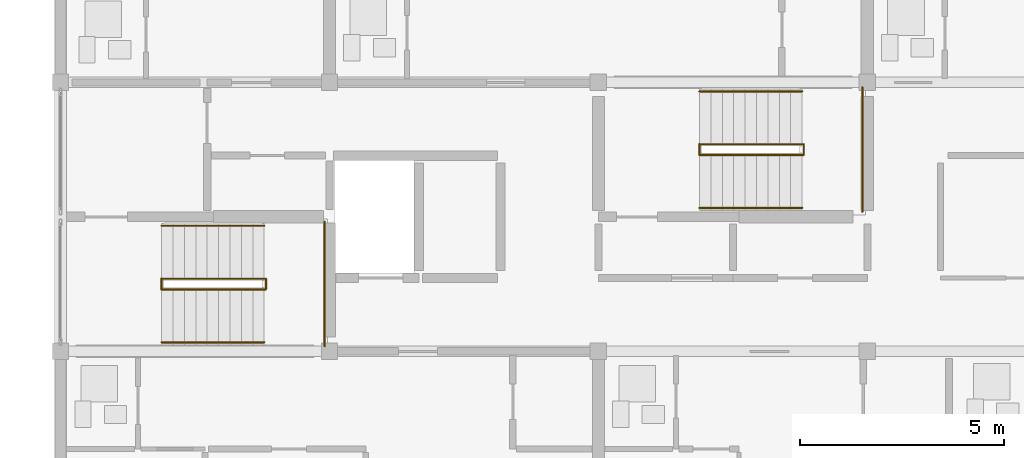
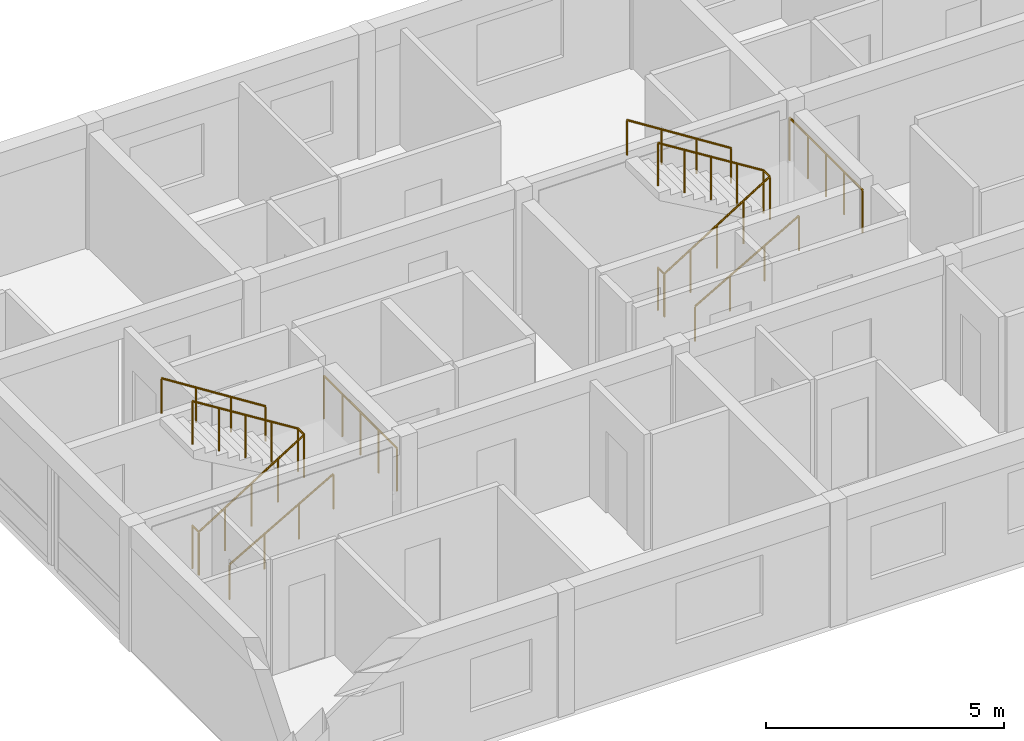
# One storey, part 32 of 34: 10 railings.
"""IFC4 building model written with IfcOpenShell, lengths in metres."""

from ifc_helpers import new_model, si_unit, direction, frame, origin, origin_2d, place, context, subcontext, project, spatial, circle, extrude, material, type_object, element, save


model = new_model("IFC4")

# Units and contexts
model_context = context("Model", 3, precision=1e-05, world=origin(), true_north=direction((0.0, 1.0)))
body_context = subcontext(model_context, "Body", "Model", "MODEL_VIEW")
ifc_project = project(units=[si_unit("LENGTHUNIT", "METRE"), si_unit("AREAUNIT", "SQUARE_METRE"), si_unit("VOLUMEUNIT", "CUBIC_METRE"), si_unit("PLANEANGLEUNIT", "RADIAN"), si_unit("MASSUNIT", "GRAM", prefix="KILO")], contexts=[model_context])

# Site, building, storey
site_placement = place(None, origin())
site = spatial("IfcSite", under=ifc_project, at=site_placement, CompositionType="ELEMENT")
building_placement = place(site_placement, origin())
building = spatial("IfcBuilding", under=site, at=building_placement, Name="Kernevlak Ridge Housing Community", CompositionType="ELEMENT")
storey_placement = place(building_placement, frame((0.0, 0.0, 34.0)))
storey = spatial("IfcBuildingStorey", under=building, at=storey_placement, Name="L10", CompositionType="ELEMENT", Elevation=34.0)

# Railings
ifc_material_1 = material(Name="Steel S355", Category="steel")
railing_type_1 = type_object("IfcRailingType", Name="GR-02", PredefinedType="GUARDRAIL", material=ifc_material_1)
railing_1_placement = place(storey_placement, frame((121.8798828125, 90.7099609375, 0.0)))
element("IfcRailing", 1, at=railing_1_placement, inside=storey, type_object=railing_type_1, Name="Stair ST-B1 L10 well slot guard", PredefinedType="GUARDRAIL", context=body_context, shape_type="SweptSolid", body=[
    extrude(circle(Radius=0.02392578125, at=origin_2d()), frame((0.0, 0.0, 1.09619140625), z_axis=(0.0, 1.0, 0.0), x_axis=(-1.0, 0.0, 0.0)), (0.0, 0.0, 1.0), 0.280029296875),
    extrude(circle(Radius=0.02099609375, at=origin_2d()), origin(), (0.0, 0.0, 1.0), 1.072021484375),
    extrude(circle(Radius=0.02099609375, at=origin_2d()), frame((0.0, 0.280029296875, 0.0)), (0.0, 0.0, 1.0), 1.072021484375),
])
railing_2_placement = place(storey_placement, frame((121.8798828125, 90.719970703125, 0.0)))
element("IfcRailing", 2, at=railing_2_placement, inside=storey, type_object=railing_type_1, Name="Stair ST-B1 L10 inner well guardrail", PredefinedType="GUARDRAIL", context=body_context, shape_type="SweptSolid", body=[
    extrude(circle(Radius=0.02392578125, at=origin_2d()), frame((0.0, 0.0, 1.09619140625), z_axis=(0.847989217509, 0.0, 0.530013478119), x_axis=(0.0, 1.0, 0.0)), (0.0, 0.0, 1.0), 3.01904296875),
    extrude(circle(Radius=0.02392578125, at=origin_2d()), frame((2.56005859375, 0.0, 2.6962890625), z_axis=(0.0, 1.0, 0.0), x_axis=(-1.0, 0.0, 0.0)), (0.0, 0.0, 1.0), 0.260009765625),
    extrude(circle(Radius=0.02392578125, at=origin_2d()), frame((2.56005859375, 0.260009765625, 2.6962890625), z_axis=(-0.848025563165, 0.0, 0.529955322851), x_axis=(0.0, -1.0, 0.0)), (0.0, 0.0, 1.0), 3.018798828125),
    extrude(circle(Radius=0.02099609375, at=origin_2d()), origin(), (0.0, 0.0, 1.0), 1.072021484375),
    extrude(circle(Radius=0.02099609375, at=origin_2d()), frame((0.64013671875, 0.0, 0.39990234375)), (0.0, 0.0, 1.0), 1.072021484375),
    extrude(circle(Radius=0.02099609375, at=origin_2d()), frame((1.280029296875, 0.0, 0.800048828125)), (0.0, 0.0, 1.0), 1.072021484375),
    extrude(circle(Radius=0.02099609375, at=origin_2d()), frame((1.919921875, 0.0, 1.2001953125)), (0.0, 0.0, 1.0), 1.072021484375),
    extrude(circle(Radius=0.02099609375, at=origin_2d()), frame((2.56005859375, 0.0, 1.60009765625)), (0.0, 0.0, 1.0), 1.072021484375),
    extrude(circle(Radius=0.02099609375, at=origin_2d()), frame((2.56005859375, 0.260009765625, 1.60009765625)), (0.0, 0.0, 1.0), 1.072021484375),
    extrude(circle(Radius=0.02099609375, at=origin_2d()), frame((1.919921875, 0.260009765625, 2.0)), (0.0, 0.0, 1.0), 1.072021484375),
    extrude(circle(Radius=0.02099609375, at=origin_2d()), frame((1.280029296875, 0.260009765625, 2.39990234375)), (0.0, 0.0, 1.0), 1.072021484375),
    extrude(circle(Radius=0.02099609375, at=origin_2d()), frame((0.64013671875, 0.260009765625, 2.800048828125)), (0.0, 0.0, 1.0), 1.072021484375),
    extrude(circle(Radius=0.02099609375, at=origin_2d()), frame((0.0, 0.260009765625, 3.199951171875)), (0.0, 0.0, 1.0), 1.072021484375),
])
railing_3_placement = place(storey_placement, frame((125.8798828125, 89.320068359375, 1.60009765625)))
element("IfcRailing", 3, at=railing_3_placement, inside=storey, type_object=railing_type_1, Name="Stair ST-B1 L10 half-landing guard", PredefinedType="GUARDRAIL", context=body_context, shape_type="SweptSolid", body=[
    extrude(circle(Radius=0.02392578125, at=origin_2d()), frame((0.0, 0.0, 1.09619140625), z_axis=(0.0, 1.0, 0.0), x_axis=(-1.0, 0.0, 0.0)), (0.0, 0.0, 1.0), 3.059814453125),
    extrude(circle(Radius=0.02099609375, at=origin_2d()), origin(), (0.0, 0.0, 1.0), 1.072021484375),
    extrude(circle(Radius=0.02099609375, at=origin_2d()), frame((0.0, 0.764892578125, 0.0)), (0.0, 0.0, 1.0), 1.072021484375),
    extrude(circle(Radius=0.02099609375, at=origin_2d()), frame((0.0, 1.52978515625, 0.0)), (0.0, 0.0, 1.0), 1.072021484375),
    extrude(circle(Radius=0.02099609375, at=origin_2d()), frame((0.0, 2.294921875, 0.0)), (0.0, 0.0, 1.0), 1.072021484375),
    extrude(circle(Radius=0.02099609375, at=origin_2d()), frame((0.0, 3.059814453125, 0.0)), (0.0, 0.0, 1.0), 1.072021484375),
])
railing_4_placement = place(storey_placement, frame((135.080078125, 94.010009765625, 0.0)))
element("IfcRailing", 4, at=railing_4_placement, inside=storey, type_object=railing_type_1, Name="Stair ST-B2 L10 well slot guard", PredefinedType="GUARDRAIL", context=body_context, shape_type="SweptSolid", body=[
    extrude(circle(Radius=0.02392578125, at=origin_2d()), frame((0.0, 0.0, 1.09619140625), z_axis=(0.0, 1.0, 0.0), x_axis=(-1.0, 0.0, 0.0)), (0.0, 0.0, 1.0), 0.280029296875),
    extrude(circle(Radius=0.02099609375, at=origin_2d()), origin(), (0.0, 0.0, 1.0), 1.072021484375),
    extrude(circle(Radius=0.02099609375, at=origin_2d()), frame((0.0, 0.280029296875, 0.0)), (0.0, 0.0, 1.0), 1.072021484375),
])
railing_5_placement = place(storey_placement, frame((135.080078125, 94.02001953125, 0.0)))
element("IfcRailing", 5, at=railing_5_placement, inside=storey, type_object=railing_type_1, Name="Stair ST-B2 L10 inner well guardrail", PredefinedType="GUARDRAIL", context=body_context, shape_type="SweptSolid", body=[
    extrude(circle(Radius=0.02392578125, at=origin_2d()), frame((0.0, 0.0, 1.09619140625), z_axis=(0.847966497998, 0.0, 0.530049826217), x_axis=(0.0, 1.0, 0.0)), (0.0, 0.0, 1.0), 3.018798828125),
    extrude(circle(Radius=0.02392578125, at=origin_2d()), frame((2.559814453125, 0.0, 2.6962890625), z_axis=(0.0, 1.0, 0.0), x_axis=(-1.0, 0.0, 0.0)), (0.0, 0.0, 1.0), 0.260009765625),
    extrude(circle(Radius=0.02392578125, at=origin_2d()), frame((2.559814453125, 0.260009765625, 2.6962890625), z_axis=(-0.848002847666, 0.0, 0.529991670077), x_axis=(0.0, -1.0, 0.0)), (0.0, 0.0, 1.0), 3.0185546875),
    extrude(circle(Radius=0.02099609375, at=origin_2d()), origin(), (0.0, 0.0, 1.0), 1.072021484375),
    extrude(circle(Radius=0.02099609375, at=origin_2d()), frame((0.639892578125, 0.0, 0.39990234375)), (0.0, 0.0, 1.0), 1.072021484375),
    extrude(circle(Radius=0.02099609375, at=origin_2d()), frame((1.27978515625, 0.0, 0.800048828125)), (0.0, 0.0, 1.0), 1.072021484375),
    extrude(circle(Radius=0.02099609375, at=origin_2d()), frame((1.919921875, 0.0, 1.2001953125)), (0.0, 0.0, 1.0), 1.072021484375),
    extrude(circle(Radius=0.02099609375, at=origin_2d()), frame((2.559814453125, 0.0, 1.60009765625)), (0.0, 0.0, 1.0), 1.072021484375),
    extrude(circle(Radius=0.02099609375, at=origin_2d()), frame((2.559814453125, 0.260009765625, 1.60009765625)), (0.0, 0.0, 1.0), 1.072021484375),
    extrude(circle(Radius=0.02099609375, at=origin_2d()), frame((1.919921875, 0.260009765625, 2.0)), (0.0, 0.0, 1.0), 1.072021484375),
    extrude(circle(Radius=0.02099609375, at=origin_2d()), frame((1.27978515625, 0.260009765625, 2.39990234375)), (0.0, 0.0, 1.0), 1.072021484375),
    extrude(circle(Radius=0.02099609375, at=origin_2d()), frame((0.639892578125, 0.260009765625, 2.800048828125)), (0.0, 0.0, 1.0), 1.072021484375),
    extrude(circle(Radius=0.02099609375, at=origin_2d()), frame((0.0, 0.260009765625, 3.199951171875)), (0.0, 0.0, 1.0), 1.072021484375),
])
railing_6_placement = place(storey_placement, frame((139.080078125, 92.6201171875, 1.60009765625)))
element("IfcRailing", 6, at=railing_6_placement, inside=storey, type_object=railing_type_1, Name="Stair ST-B2 L10 half-landing guard", PredefinedType="GUARDRAIL", context=body_context, shape_type="SweptSolid", body=[
    extrude(circle(Radius=0.02392578125, at=origin_2d()), frame((0.0, 0.0, 1.09619140625), z_axis=(0.0, 1.0, 0.0), x_axis=(-1.0, 0.0, 0.0)), (0.0, 0.0, 1.0), 3.059814453125),
    extrude(circle(Radius=0.02099609375, at=origin_2d()), origin(), (0.0, 0.0, 1.0), 1.072021484375),
    extrude(circle(Radius=0.02099609375, at=origin_2d()), frame((0.0, 0.764892578125, 0.0)), (0.0, 0.0, 1.0), 1.072021484375),
    extrude(circle(Radius=0.02099609375, at=origin_2d()), frame((0.0, 1.52978515625, 0.0)), (0.0, 0.0, 1.0), 1.072021484375),
    extrude(circle(Radius=0.02099609375, at=origin_2d()), frame((0.0, 2.294921875, 0.0)), (0.0, 0.0, 1.0), 1.072021484375),
    extrude(circle(Radius=0.02099609375, at=origin_2d()), frame((0.0, 3.059814453125, 0.0)), (0.0, 0.0, 1.0), 1.072021484375),
])
ifc_material_2 = material(Name="Stainless steel EN 1.4401", Category="steel")
railing_type_2 = type_object("IfcRailingType", Name="HR-01", PredefinedType="HANDRAIL", material=ifc_material_2)
railing_7_placement = place(storey_placement, frame((121.8798828125, 89.419921875, 0.159912109375)))
element("IfcRailing", 7, at=railing_7_placement, inside=storey, type_object=railing_type_2, Name="Stair ST-B1 L10 flight 1 handrail", PredefinedType="HANDRAIL", context=body_context, shape_type="SweptSolid", body=[
    extrude(circle(Radius=0.02392578125, at=origin_2d()), frame((0.0, 0.0, 0.89599609375), z_axis=(0.868217259934, 0.0, 0.496184229447), x_axis=(0.0, 1.0, 0.0)), (0.0, 0.0, 1.0), 2.902587890625),
    extrude(circle(Radius=0.02099609375, at=origin_2d()), origin(), (0.0, 0.0, 1.0), 0.871826171875),
    extrude(circle(Radius=0.02099609375, at=origin_2d()), frame((0.840087890625, 0.0, 0.47998046875)), (0.0, 0.0, 1.0), 0.871826171875),
    extrude(circle(Radius=0.02099609375, at=origin_2d()), frame((1.679931640625, 0.0, 0.960205078125)), (0.0, 0.0, 1.0), 0.871826171875),
    extrude(circle(Radius=0.02099609375, at=origin_2d()), frame((2.52001953125, 0.0, 1.440185546875)), (0.0, 0.0, 1.0), 0.871826171875),
])
railing_8_placement = place(storey_placement, frame((124.39990234375, 92.280029296875, 1.60009765625)))
element("IfcRailing", 8, at=railing_8_placement, inside=storey, type_object=railing_type_2, Name="Stair ST-B1 L10 flight 2 handrail", PredefinedType="HANDRAIL", context=body_context, shape_type="SweptSolid", body=[
    extrude(circle(Radius=0.02392578125, at=origin_2d()), frame((0.0, 0.0, 0.89599609375), z_axis=(-0.84423690053, 0.0, 0.535970200462), x_axis=(0.0, -1.0, 0.0)), (0.0, 0.0, 1.0), 2.98486328125),
    extrude(circle(Radius=0.02099609375, at=origin_2d()), origin(), (0.0, 0.0, 1.0), 0.871826171875),
    extrude(circle(Radius=0.02099609375, at=origin_2d()), frame((-0.840087890625, 0.0, 0.533203125)), (0.0, 0.0, 1.0), 0.871826171875),
    extrude(circle(Radius=0.02099609375, at=origin_2d()), frame((-1.679931640625, 0.0, 1.066650390625)), (0.0, 0.0, 1.0), 0.871826171875),
    extrude(circle(Radius=0.02099609375, at=origin_2d()), frame((-2.52001953125, 0.0, 1.599853515625)), (0.0, 0.0, 1.0), 0.871826171875),
])
railing_9_placement = place(storey_placement, frame((135.080078125, 92.719970703125, 0.159912109375)))
element("IfcRailing", 9, at=railing_9_placement, inside=storey, type_object=railing_type_2, Name="Stair ST-B2 L10 flight 1 handrail", PredefinedType="HANDRAIL", context=body_context, shape_type="SweptSolid", body=[
    extrude(circle(Radius=0.02392578125, at=origin_2d()), frame((0.0, 0.0, 0.89599609375), z_axis=(0.868217259934, 0.0, 0.496184229447), x_axis=(0.0, 1.0, 0.0)), (0.0, 0.0, 1.0), 2.902587890625),
    extrude(circle(Radius=0.02099609375, at=origin_2d()), origin(), (0.0, 0.0, 1.0), 0.871826171875),
    extrude(circle(Radius=0.02099609375, at=origin_2d()), frame((0.840087890625, 0.0, 0.47998046875)), (0.0, 0.0, 1.0), 0.871826171875),
    extrude(circle(Radius=0.02099609375, at=origin_2d()), frame((1.679931640625, 0.0, 0.960205078125)), (0.0, 0.0, 1.0), 0.871826171875),
    extrude(circle(Radius=0.02099609375, at=origin_2d()), frame((2.52001953125, 0.0, 1.440185546875)), (0.0, 0.0, 1.0), 0.871826171875),
])
railing_10_placement = place(storey_placement, frame((137.60009765625, 95.580078125, 1.60009765625)))
element("IfcRailing", 10, at=railing_10_placement, inside=storey, type_object=railing_type_2, Name="Stair ST-B2 L10 flight 2 handrail", PredefinedType="HANDRAIL", context=body_context, shape_type="SweptSolid", body=[
    extrude(circle(Radius=0.02392578125, at=origin_2d()), frame((0.0, 0.0, 0.89599609375), z_axis=(-0.84423690053, 0.0, 0.535970200462), x_axis=(0.0, -1.0, 0.0)), (0.0, 0.0, 1.0), 2.98486328125),
    extrude(circle(Radius=0.02099609375, at=origin_2d()), origin(), (0.0, 0.0, 1.0), 0.871826171875),
    extrude(circle(Radius=0.02099609375, at=origin_2d()), frame((-0.840087890625, 0.0, 0.533203125)), (0.0, 0.0, 1.0), 0.871826171875),
    extrude(circle(Radius=0.02099609375, at=origin_2d()), frame((-1.679931640625, 0.0, 1.066650390625)), (0.0, 0.0, 1.0), 0.871826171875),
    extrude(circle(Radius=0.02099609375, at=origin_2d()), frame((-2.52001953125, 0.0, 1.599853515625)), (0.0, 0.0, 1.0), 0.871826171875),
])

save(model, "model.ifc")
